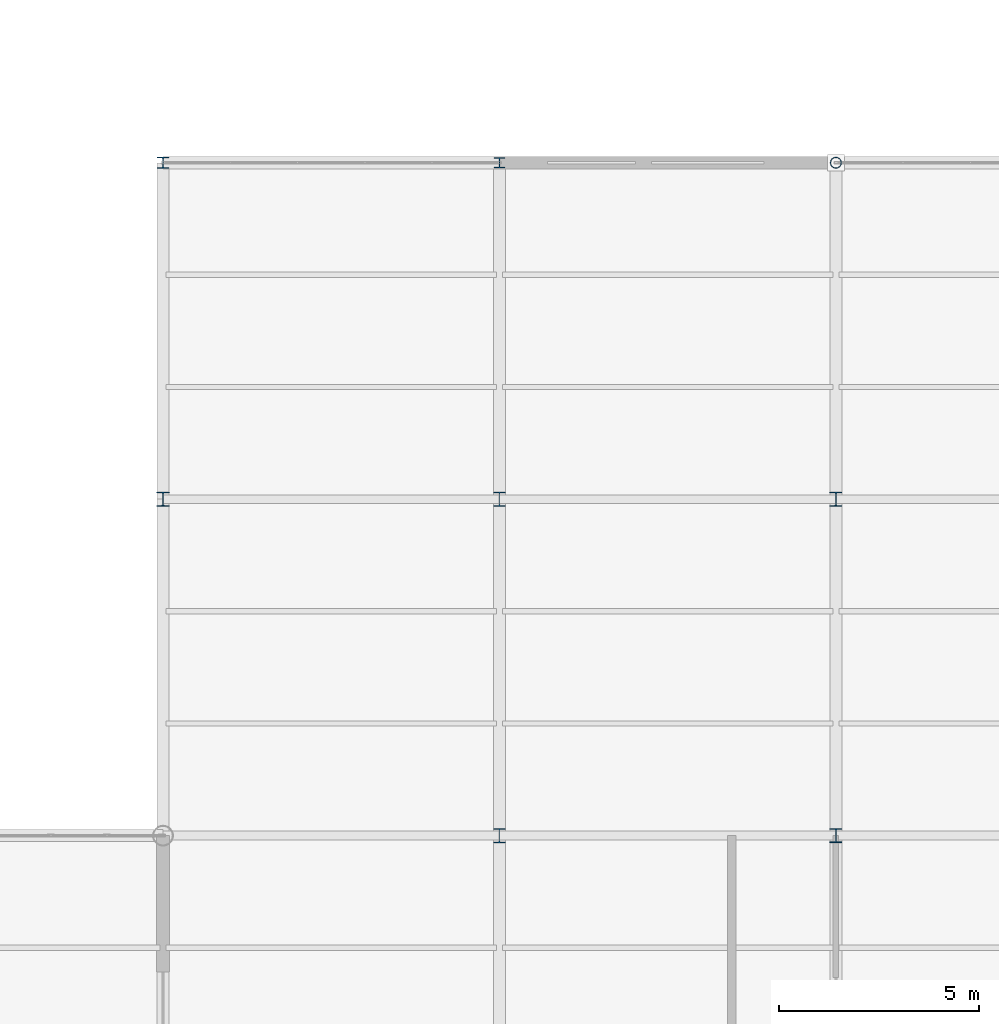
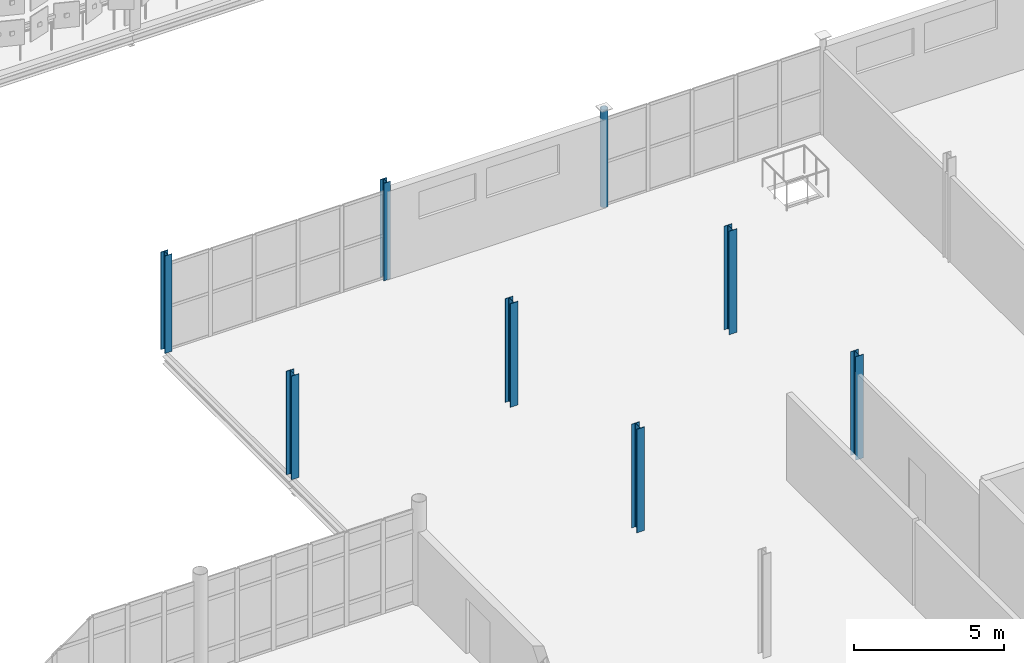
# One storey, part 8 of 163: 8 columns.
"""IFC4 building model written with IfcOpenShell, lengths in metres."""

from ifc_helpers import new_model, si_unit, direction, frame, origin, origin_2d, place, context, subcontext, project, spatial, hollow_circle, i_section, extrude, material, material_profile, profile_set, type_object, element, save


model = new_model("IFC4")

# Units and contexts
model_context = context("Model", 3, precision=1e-05, world=origin(), true_north=direction((0.0, 1.0)))
body_context = subcontext(model_context, "Body", "Model", "MODEL_VIEW")
ifc_project = project(units=[si_unit("LENGTHUNIT", "METRE"), si_unit("AREAUNIT", "SQUARE_METRE"), si_unit("VOLUMEUNIT", "CUBIC_METRE"), si_unit("PLANEANGLEUNIT", "RADIAN"), si_unit("MASSUNIT", "GRAM", prefix="KILO")], contexts=[model_context])

# Site, building, storey
site_placement = place(None, origin())
site = spatial("IfcSite", under=ifc_project, at=site_placement, CompositionType="ELEMENT")
building_placement = place(site_placement, origin())
building = spatial("IfcBuilding", under=site, at=building_placement, Name="Qalvenar Corner Mobility Hub", CompositionType="ELEMENT")
storey_placement = place(building_placement, frame((0.0, 0.0, 4.800048828125)))
storey = spatial("IfcBuildingStorey", under=building, at=storey_placement, Name="L01", CompositionType="ELEMENT", Elevation=4.800048828125)

# Columns
ifc_material = material(Name="Steel S355", Category="steel")
ifc_material_profile_1 = material_profile(ifc_material, hollow_circle(Radius=0.136474609375, WallThickness=0.0087890625, at=origin_2d()), Name="CHS273x8.8")
ifc_profile_set_1 = profile_set([ifc_material_profile_1], Name="Steel S355")
column_type_1 = type_object("IfcColumnType", Name="COL-CHS273", PredefinedType="COLUMN", material=ifc_profile_set_1)
column_1_placement = place(storey_placement, frame((126.0, 50.39990234375, 0.0), z_axis=(0.0, 0.0, 1.0), x_axis=(1.0, 0.0, 0.0)))
element("IfcColumn", 1, at=column_1_placement, inside=storey, type_object=column_type_1, Name="Steel Column L01-G16-6", PredefinedType="COLUMN", context=body_context, shape_type="SweptSolid", body=[
    extrude(hollow_circle(Radius=0.136474609375, WallThickness=0.0087890625, at=origin_2d()), origin(), (0.0, 0.0, 1.0), 3.9580078125),
])
ifc_material_profile_2 = material_profile(ifc_material, i_section(OverallWidth=0.300048828125, OverallDepth=0.35009765625, WebThickness=0.010009765625, FlangeThickness=0.017578125, FilletRadius=0.027099609375, at=origin_2d()), Name="HEA360")
ifc_profile_set_2 = profile_set([ifc_material_profile_2], Name="Steel S355")
column_type_2 = type_object("IfcColumnType", Name="COL-HEA360", PredefinedType="COLUMN", material=ifc_profile_set_2)
for number, where, z_axis, x_axis, name in (
    (2, (109.199951171875, 42.0, 0.0), (0.0, 0.0, 1.0), (1.0, 0.0, 0.0), "Steel Column L01-G14-5"),
    (3, (126.0, 33.60009765625, 0.0), (0.0, 0.0, 1.0), (1.0, 0.0, 0.0), "Steel Column L01-G16-4"),
    (4, (126.0, 42.0, 0.0), (0.0, 0.0, 1.0), (1.0, 0.0, 0.0), "Steel Column L01-G16-5"),
):
    element("IfcColumn", number, at=place(storey_placement, frame(where, z_axis=z_axis, x_axis=x_axis)), inside=storey, type_object=column_type_2, Name=name, PredefinedType="COLUMN", context=body_context, shape_type="SweptSolid", body=[
        extrude(i_section(OverallWidth=0.300048828125, OverallDepth=0.35009765625, WebThickness=0.010009765625, FlangeThickness=0.017578125, FilletRadius=0.027099609375, at=origin_2d()), origin(), (0.0, 0.0, 1.0), 4.199951171875),
    ])
ifc_material_profile_3 = material_profile(ifc_material, i_section(OverallWidth=0.260009765625, OverallDepth=0.260009765625, WebThickness=0.010009765625, FlangeThickness=0.017578125, FilletRadius=0.02392578125, at=origin_2d()), Name="HEB260")
ifc_profile_set_3 = profile_set([ifc_material_profile_3], Name="Steel S355")
column_type_3 = type_object("IfcColumnType", Name="COL-HEB260", PredefinedType="COLUMN", material=ifc_profile_set_3)
column_2_placement = place(storey_placement, frame((117.60009765625, 50.39990234375, 0.0), z_axis=(0.0, 0.0, 1.0), x_axis=(1.0, 0.0, 0.0)))
element("IfcColumn", 5, at=column_2_placement, inside=storey, type_object=column_type_3, Name="Steel Column L01-G15-6", PredefinedType="COLUMN", context=body_context, shape_type="SweptSolid", body=[
    extrude(i_section(OverallWidth=0.260009765625, OverallDepth=0.260009765625, WebThickness=0.010009765625, FlangeThickness=0.017578125, FilletRadius=0.02392578125, at=origin_2d()), origin(), (0.0, 0.0, 1.0), 3.9580078125),
])
ifc_material_profile_4 = material_profile(ifc_material, i_section(OverallWidth=0.280029296875, OverallDepth=0.280029296875, WebThickness=0.010498046875, FlangeThickness=0.01806640625, FilletRadius=0.02392578125, at=origin_2d()), Name="HEB280")
ifc_profile_set_4 = profile_set([ifc_material_profile_4], Name="Steel S355")
column_type_4 = type_object("IfcColumnType", Name="COL-HEB280", PredefinedType="COLUMN", material=ifc_profile_set_4)
column_3_placement = place(storey_placement, frame((109.199951171875, 50.39990234375, 0.0), z_axis=(0.0, 0.0, 1.0), x_axis=(1.0, 0.0, 0.0)))
element("IfcColumn", 6, at=column_3_placement, inside=storey, type_object=column_type_4, Name="Steel Column L01-G14-6", PredefinedType="COLUMN", context=body_context, shape_type="SweptSolid", body=[
    extrude(i_section(OverallWidth=0.280029296875, OverallDepth=0.280029296875, WebThickness=0.010498046875, FlangeThickness=0.01806640625, FilletRadius=0.02392578125, at=origin_2d()), origin(), (0.0, 0.0, 1.0), 3.9580078125),
])
ifc_material_profile_5 = material_profile(ifc_material, i_section(OverallWidth=0.300048828125, OverallDepth=0.360107421875, WebThickness=0.012451171875, FlangeThickness=0.0224609375, FilletRadius=0.027099609375, at=origin_2d()), Name="HEB360")
ifc_profile_set_5 = profile_set([ifc_material_profile_5], Name="Steel S355")
column_type_5 = type_object("IfcColumnType", Name="COL-HEB360", PredefinedType="COLUMN", material=ifc_profile_set_5)
for number, where, z_axis, x_axis, name in (
    (7, (117.60009765625, 33.60009765625, 0.0), (0.0, 0.0, 1.0), (1.0, 0.0, 0.0), "Steel Column L01-G15-4"),
    (8, (117.60009765625, 42.0, 0.0), (0.0, 0.0, 1.0), (1.0, 0.0, 0.0), "Steel Column L01-G15-5"),
):
    element("IfcColumn", number, at=place(storey_placement, frame(where, z_axis=z_axis, x_axis=x_axis)), inside=storey, type_object=column_type_5, Name=name, PredefinedType="COLUMN", context=body_context, shape_type="SweptSolid", body=[
        extrude(i_section(OverallWidth=0.300048828125, OverallDepth=0.360107421875, WebThickness=0.012451171875, FlangeThickness=0.0224609375, FilletRadius=0.027099609375, at=origin_2d()), origin(), (0.0, 0.0, 1.0), 4.199951171875),
    ])

save(model, "model.ifc")
